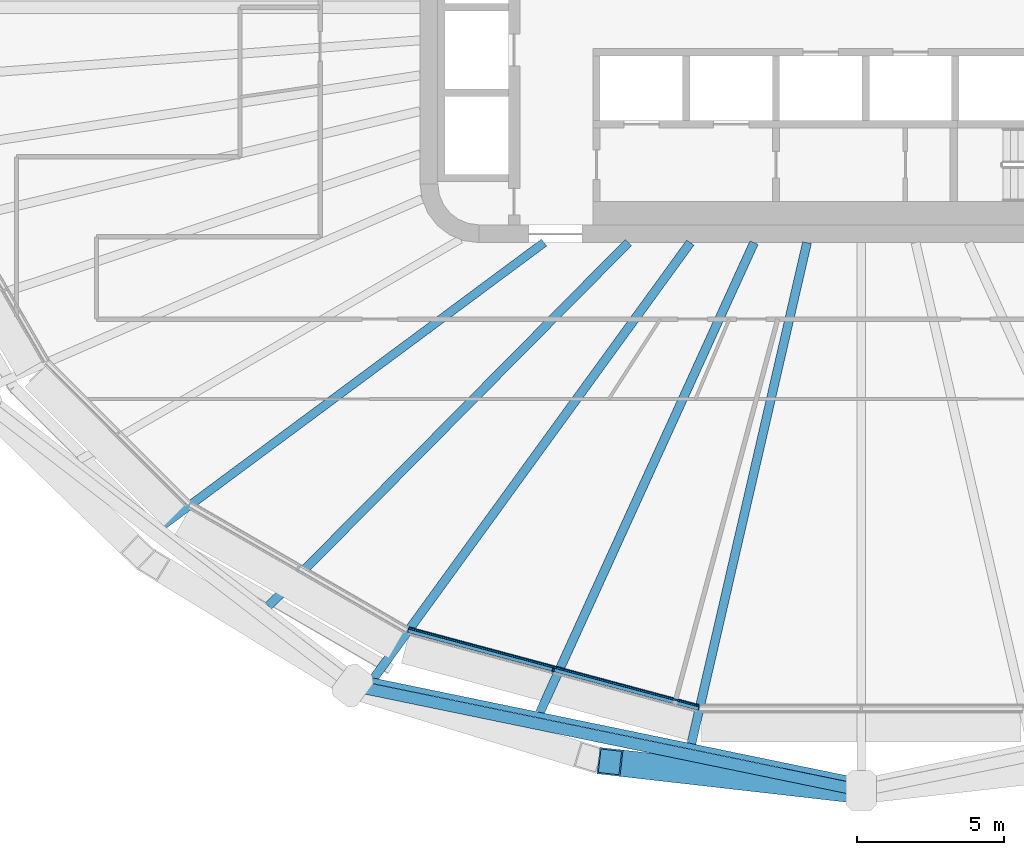
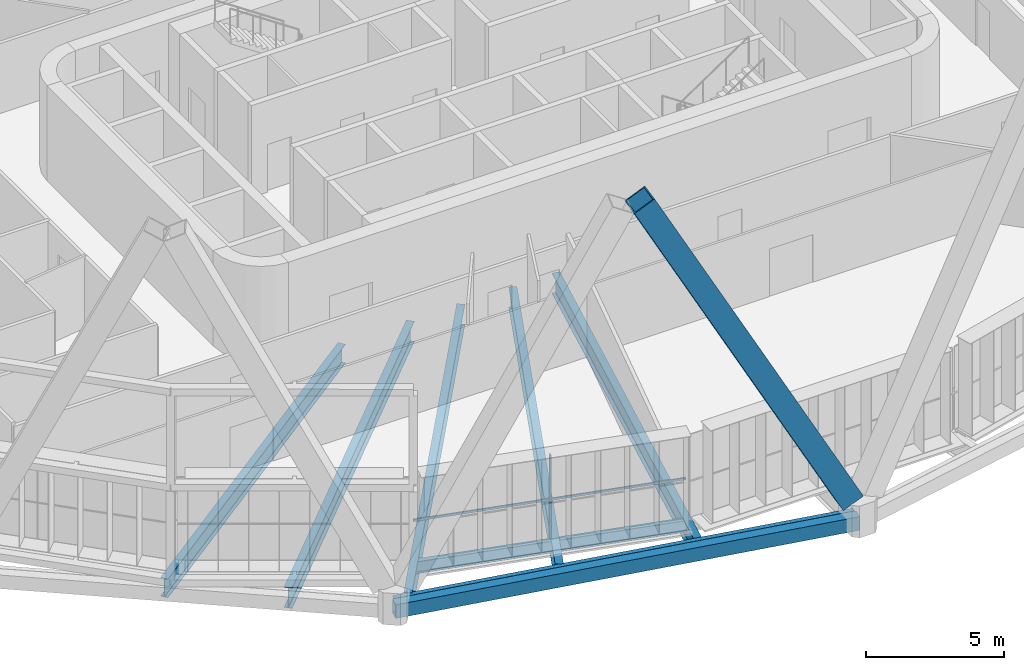
# One storey, part 2 of 25: 8 beams, 3 members, 1 element without a shape of its own.
"""IFC4 building model written with IfcOpenShell, lengths in metres."""

from ifc_helpers import new_model, si_unit, direction, frame, origin, origin_2d, place, context, subcontext, project, spatial, rectangle, hollow_rectangle, i_section, extrude, material, layer, layer_set, material_profile, profile_set, type_object, element, aggregate, save


model = new_model("IFC4")

# Units and contexts
model_context = context("Model", 3, precision=1e-05, world=origin(), true_north=direction((0.0, 1.0)))
body_context = subcontext(model_context, "Body", "Model", "MODEL_VIEW")
ifc_project = project(units=[si_unit("LENGTHUNIT", "METRE"), si_unit("AREAUNIT", "SQUARE_METRE"), si_unit("VOLUMEUNIT", "CUBIC_METRE"), si_unit("PLANEANGLEUNIT", "RADIAN"), si_unit("MASSUNIT", "GRAM", prefix="KILO")], contexts=[model_context])

# Site, building, storey
site_placement = place(None, origin())
site = spatial("IfcSite", under=ifc_project, at=site_placement, CompositionType="ELEMENT")
building_placement = place(site_placement, origin())
building = spatial("IfcBuilding", under=site, at=building_placement, Name="Sahrelin Media Tower", CompositionType="ELEMENT")
storey_placement = place(building_placement, frame((0.0, 0.0, 114.60009765625)))
storey = spatial("IfcBuildingStorey", under=building, at=storey_placement, Name="L22", CompositionType="ELEMENT", Elevation=114.60009765625)

# Member
ifc_material_1 = material(Name="Steel S460", Category="steel")
ifc_material_profile_1 = material_profile(ifc_material_1, hollow_rectangle(XDim=0.89990234375, YDim=0.89990234375, WallThickness=0.050048828125, at=origin_2d()), Name="Diagrid diagonal DG3")
ifc_profile_set_1 = profile_set([ifc_material_profile_1], Name="Steel S460")
member_type_1 = type_object("IfcMemberType", Name="Diagrid diagonal DG3", PredefinedType="BRACE", material=ifc_profile_set_1)
member_1_placement = place(storey_placement, frame((-0.37158203125, -26.584716796875, 0.699951171875), z_axis=(-0.468103705701, 0.053333757537, 0.882062600395), x_axis=(-0.113203375276, -0.993571837275, 0.0)))
element("IfcMember", 1, at=member_1_placement, inside=storey, type_object=member_type_1, Name="Diagrid diagonal D04-17", PredefinedType="BRACE", context=body_context, shape_type="SweptSolid", body=[
    extrude(hollow_rectangle(XDim=0.89990234375, YDim=0.89990234375, WallThickness=0.050048828125, at=origin_2d()), origin(), (0.0, 0.0, 1.0), 17.458984375),
])

# Beams
ifc_material_profile_2 = material_profile(ifc_material_1, hollow_rectangle(XDim=0.39990234375, YDim=0.60009765625, WallThickness=0.030029296875, at=origin_2d()), Name="Diagrid ring beam RB1")
ifc_profile_set_2 = profile_set([ifc_material_profile_2], Name="Steel S460")
beam_type_1 = type_object("IfcBeamType", Name="Diagrid ring beam RB1", PredefinedType="BEAM", material=ifc_profile_set_2)
beam_1_placement = place(storey_placement, frame((-17.297119140625, -23.059814453125, -0.4501953125), z_axis=(0.979387523042, -0.201990296076, 0.0), x_axis=(0.201990296076, 0.979387523042, 0.0)))
element("IfcBeam", 2, at=beam_1_placement, inside=storey, type_object=beam_type_1, Name="Diagrid ring beam RB04-08", PredefinedType="BEAM", context=body_context, shape_type="SweptSolid", body=[
    extrude(hollow_rectangle(XDim=0.39990234375, YDim=0.60009765625, WallThickness=0.030029296875, at=origin_2d()), origin(), (0.0, 0.0, 1.0), 17.6611328125),
])
ifc_material_2 = material(Name="Steel S355", Category="steel")
ifc_material_profile_3 = material_profile(ifc_material_2, i_section(OverallWidth=0.208740234375, OverallDepth=0.5283203125, WebThickness=0.009521484375, FlangeThickness=0.01318359375, FilletRadius=0.0126953125, at=origin_2d()), Name="UB 533x210x82")
ifc_profile_set_3 = profile_set([ifc_material_profile_3], Name="Steel S355")
beam_type_2 = type_object("IfcBeamType", Name="Edge beam EB6", PredefinedType="BEAM", material=ifc_profile_set_3)
beam_2_placement = place(storey_placement, frame((-5.5205078125, -23.801513671875, -0.414306640625), z_axis=(-0.96592556592, 0.258820016811, 0.0), x_axis=(-0.258820016811, -0.96592556592, 0.0)))
element("IfcBeam", 3, at=beam_2_placement, inside=storey, type_object=beam_type_2, Name="Edge beam L22-08", PredefinedType="BEAM", context=body_context, shape_type="SweptSolid", body=[
    extrude(i_section(OverallWidth=0.208740234375, OverallDepth=0.5283203125, WebThickness=0.009521484375, FlangeThickness=0.01318359375, FilletRadius=0.0126953125, at=origin_2d()), origin(), (0.0, 0.0, 1.0), 10.22607421875),
])

# Curtain wall, member
ifc_material_3 = material(Name="Champagne anodised aluminium 6063-T6", Category="aluminium")
ifc_layer = layer(ifc_material_3, 0.14990234375)
ifc_layer_set = layer_set([ifc_layer], Name="Tower ribbon curtain wall")
curtain_wall_type = type_object("IfcCurtainWallType", Name="Tower ribbon curtain wall", PredefinedType="NOTDEFINED", material=ifc_layer_set)
curtain_wall_placement = place(storey_placement, frame((-10.498046875, -22.623046875, 0.0), z_axis=(0.0, 0.0, 1.0), x_axis=(1.0, 0.0, 0.0)))
curtain_wall = element("IfcCurtainWall", 4, at=curtain_wall_placement, inside=storey, type_object=curtain_wall_type, Name="L22:CW:L22-17", PredefinedType="NOTDEFINED")
ifc_material_profile_4 = material_profile(ifc_material_3, rectangle(XDim=0.06005859375, YDim=0.14990234375, at=origin_2d()), Name="Mullion 60x150")
ifc_profile_set_4 = profile_set([ifc_material_profile_4], Name="Champagne anodised aluminium 6063-T6")
member_type_2 = type_object("IfcMemberType", Name="Mullion 60x150 CW1", PredefinedType="MULLION", material=ifc_profile_set_4)
member_2_placement = place(storey_placement, frame((-10.473388671875, -22.53125, 0.0), z_axis=(0.0, 0.0, 1.0), x_axis=(0.965925374563, -0.258820730961, 0.0)))
member_2 = element("IfcMember", 5, at=member_2_placement, type_object=member_type_2, Name="L22:CWM:L22-17", PredefinedType="MULLION", context=body_context, shape_type="SweptSolid", body=[
    extrude(rectangle(XDim=0.06005859375, YDim=0.14990234375, at=origin_2d()), origin(), (0.0, 0.0, 1.0), 3.6484375),
])

# Beams
ifc_material_profile_5 = material_profile(ifc_material_2, i_section(OverallWidth=0.291748046875, OverallDepth=0.8349609375, WebThickness=0.013916015625, FlangeThickness=0.018798828125, FilletRadius=0.017822265625, at=origin_2d()), Name="UB 838x292x176")
ifc_profile_set_5 = profile_set([ifc_material_profile_5], Name="Steel S355")
beam_type_3 = type_object("IfcBeamType", Name="Radial primary beam PB10", PredefinedType="BEAM", material=ifc_profile_set_5)
beam_3_placement = place(storey_placement, frame((-10.78515625, -8.0, -0.567626953125), z_axis=(-0.803166740264, -0.595754301146, 0.0), x_axis=(0.595754301146, -0.803166740264, 0.0)))
element("IfcBeam", 6, at=beam_3_placement, inside=storey, type_object=beam_type_3, Name="Radial beam L22-16", PredefinedType="BEAM", context=body_context, shape_type="SweptSolid", body=[
    extrude(i_section(OverallWidth=0.291748046875, OverallDepth=0.8349609375, WebThickness=0.013916015625, FlangeThickness=0.018798828125, FilletRadius=0.017822265625, at=origin_2d()), origin(), (0.0, 0.0, 1.0), 16.12353515625),
])
ifc_material_profile_6 = material_profile(ifc_material_2, i_section(OverallWidth=0.30322265625, OverallDepth=0.903076171875, WebThickness=0.01513671875, FlangeThickness=0.020263671875, FilletRadius=0.01904296875, at=origin_2d()), Name="UB 914x305x201")
ifc_profile_set_6 = profile_set([ifc_material_profile_6], Name="Steel S355")
beam_type_4 = type_object("IfcBeamType", Name="Radial primary beam PB11", PredefinedType="BEAM", material=ifc_profile_set_6)
beam_4_placement = place(storey_placement, frame((-5.81298828125, -8.0, -0.6015625), z_axis=(-0.587818677526, -0.808992708466, 0.0), x_axis=(0.808992708466, -0.587818677526, 0.0)))
element("IfcBeam", 7, at=beam_4_placement, inside=storey, type_object=beam_type_4, Name="Radial beam L22-17", PredefinedType="BEAM", context=body_context, shape_type="SweptSolid", body=[
    extrude(i_section(OverallWidth=0.30322265625, OverallDepth=0.903076171875, WebThickness=0.01513671875, FlangeThickness=0.020263671875, FilletRadius=0.01904296875, at=origin_2d()), origin(), (0.0, 0.0, 1.0), 18.3017578125),
])
beam_5_placement = place(storey_placement, frame((-1.845458984375, -8.0, -0.6015625), z_axis=(-0.224785041483, -0.974408376978, 0.0), x_axis=(0.974408376978, -0.224785041483, 0.0)))
element("IfcBeam", 8, at=beam_5_placement, inside=storey, type_object=beam_type_4, Name="Radial beam L22-18", PredefinedType="BEAM", context=body_context, shape_type="SweptSolid", body=[
    extrude(i_section(OverallWidth=0.30322265625, OverallDepth=0.903076171875, WebThickness=0.01513671875, FlangeThickness=0.020263671875, FilletRadius=0.01904296875, at=origin_2d()), origin(), (0.0, 0.0, 1.0), 17.479736328125),
])
ifc_material_profile_7 = material_profile(ifc_material_2, i_section(OverallWidth=0.30322265625, OverallDepth=0.903076171875, WebThickness=0.01513671875, FlangeThickness=0.020263671875, FilletRadius=0.01904296875, at=origin_2d()), Name="UB 914x305x201")
ifc_profile_set_7 = profile_set([ifc_material_profile_7], Name="Steel S355")
beam_type_5 = type_object("IfcBeamType", Name="Radial secondary beam SB11", PredefinedType="BEAM", material=ifc_profile_set_7)
beam_6_placement = place(storey_placement, frame((-7.921630859375, -8.0, -0.6015625), z_axis=(-0.703616835697, -0.71057958634, 0.0), x_axis=(0.71057958634, -0.703616835697, 0.0)))
element("IfcBeam", 9, at=beam_6_placement, inside=storey, type_object=beam_type_5, Name="Secondary beam L22-16", PredefinedType="BEAM", context=body_context, shape_type="SweptSolid", body=[
    extrude(i_section(OverallWidth=0.30322265625, OverallDepth=0.903076171875, WebThickness=0.01513671875, FlangeThickness=0.020263671875, FilletRadius=0.01904296875, at=origin_2d()), origin(), (0.0, 0.0, 1.0), 17.3916015625),
])
beam_7_placement = place(storey_placement, frame((-3.645263671875, -8.0, -0.6015625), z_axis=(-0.414638082783, -0.90998640666, 0.0), x_axis=(0.90998640666, -0.414638082783, 0.0)))
element("IfcBeam", 10, at=beam_7_placement, inside=storey, type_object=beam_type_5, Name="Secondary beam L22-17", PredefinedType="BEAM", context=body_context, shape_type="SweptSolid", body=[
    extrude(i_section(OverallWidth=0.30322265625, OverallDepth=0.903076171875, WebThickness=0.01513671875, FlangeThickness=0.020263671875, FilletRadius=0.01904296875, at=origin_2d()), origin(), (0.0, 0.0, 1.0), 17.550537109375),
])
ifc_material_profile_8 = material_profile(ifc_material_2, i_section(OverallWidth=0.1904296875, OverallDepth=0.45703125, WebThickness=0.009033203125, FlangeThickness=0.014404296875, FilletRadius=0.01025390625, at=origin_2d()), Name="UB 457x191x74")
ifc_profile_set_8 = profile_set([ifc_material_profile_8], Name="Steel S355")
beam_type_6 = type_object("IfcBeamType", Name="Tie chord TC5", PredefinedType="BEAM", material=ifc_profile_set_8)
beam_8_placement = place(storey_placement, frame((0.0, -26.320556640625, -0.378662109375), z_axis=(-0.979388947425, 0.201983389567, 0.0), x_axis=(-0.201983389567, -0.979388947425, 0.0)))
element("IfcBeam", 11, at=beam_8_placement, inside=storey, type_object=beam_type_6, Name="Tie chord L22-04", PredefinedType="BEAM", context=body_context, shape_type="SweptSolid", body=[
    extrude(i_section(OverallWidth=0.1904296875, OverallDepth=0.45703125, WebThickness=0.009033203125, FlangeThickness=0.014404296875, FilletRadius=0.01025390625, at=origin_2d()), origin(), (0.0, 0.0, 1.0), 17.530029296875),
])

# Member
ifc_material_profile_9 = material_profile(ifc_material_3, rectangle(XDim=0.050048828125, YDim=0.10009765625, at=origin_2d()), Name="Transom 50x100")
ifc_profile_set_9 = profile_set([ifc_material_profile_9], Name="Champagne anodised aluminium 6063-T6")
member_type_3 = type_object("IfcMemberType", Name="Transom 50x100 CW1", PredefinedType="USERDEFINED", material=ifc_profile_set_9)
member_3_placement = place(storey_placement, frame((-15.371337890625, -21.115234375, 1.599853515625), z_axis=(0.965924213862, -0.258825062686, 0.0), x_axis=(0.258825062686, 0.965924213862, 0.0)))
member_3 = element("IfcMember", 12, at=member_3_placement, type_object=member_type_3, Name="L22:CWT:L22-17", ObjectType="TRANSOM", PredefinedType="USERDEFINED", context=body_context, shape_type="SweptSolid", body=[
    extrude(rectangle(XDim=0.050048828125, YDim=0.10009765625, at=origin_2d()), origin(), (0.0, 0.0, 1.0), 10.19482421875),
])

aggregate(curtain_wall, [member_2, member_3])

save(model, "model.ifc")
